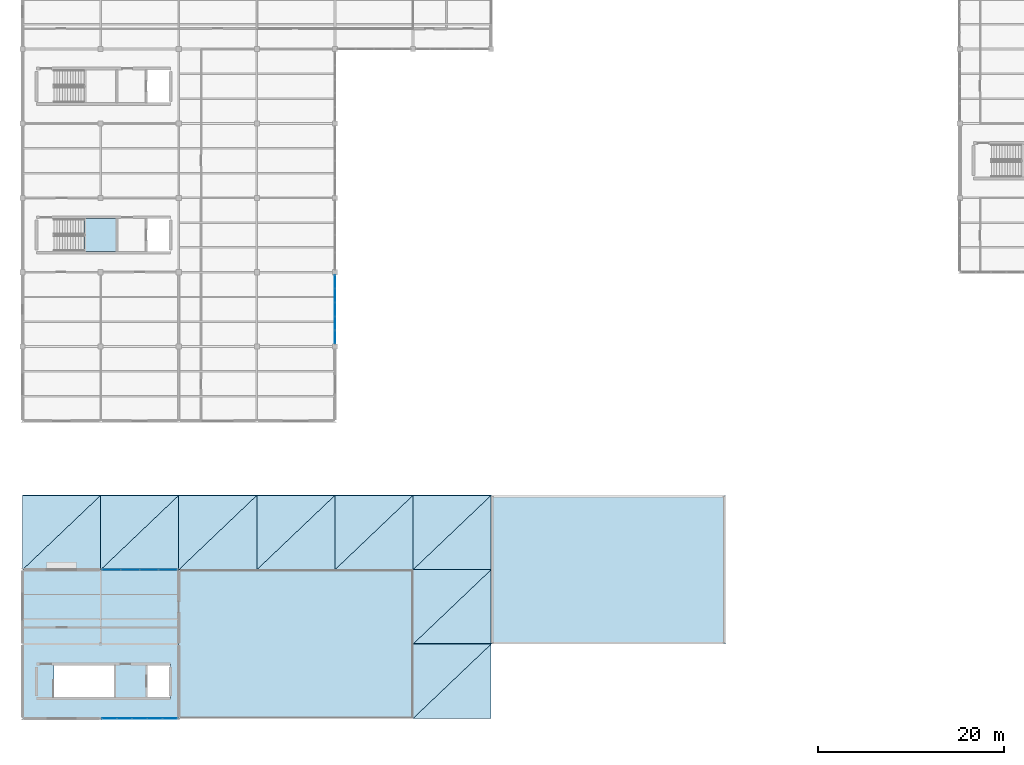
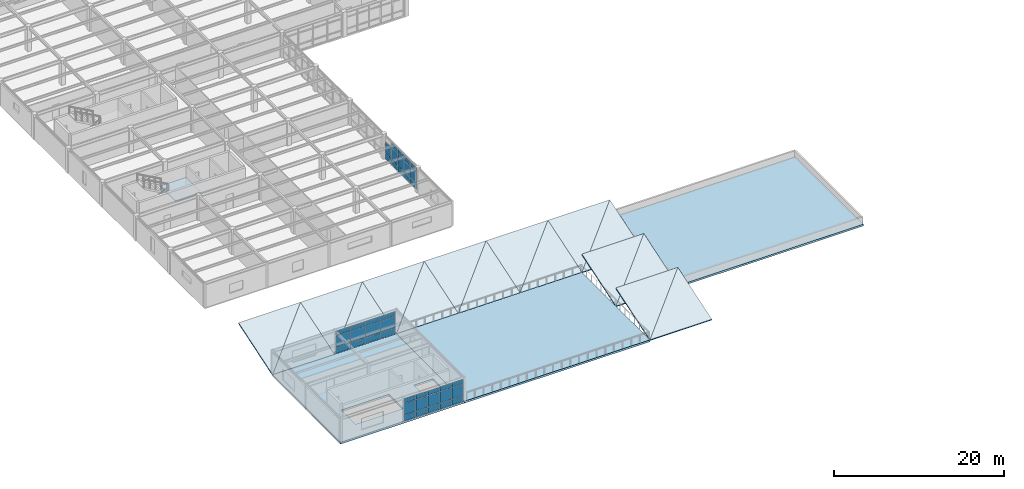
# One storey, part 33 of 53: 41 plates, 20 slabs, 4 elements without a shape of their own.
"""IFC4 building model written with IfcOpenShell, lengths in metres."""

from ifc_helpers import new_model, si_unit, direction, frame, origin, origin_2d, place, context, subcontext, project, spatial, polyline, rectangle, outline, extrude, material, layer, layer_set, type_object, element, aggregate, save


model = new_model("IFC4")

# Units and contexts
model_context = context("Model", 3, precision=1e-05, world=origin(), true_north=direction((0.0, 1.0)))
body_context = subcontext(model_context, "Body", "Model", "MODEL_VIEW")
ifc_project = project(units=[si_unit("LENGTHUNIT", "METRE"), si_unit("AREAUNIT", "SQUARE_METRE"), si_unit("VOLUMEUNIT", "CUBIC_METRE"), si_unit("PLANEANGLEUNIT", "RADIAN"), si_unit("MASSUNIT", "GRAM", prefix="KILO")], contexts=[model_context])

# Site, building, storey
site_placement = place(None, origin())
site = spatial("IfcSite", under=ifc_project, at=site_placement, CompositionType="ELEMENT")
building_placement = place(site_placement, origin())
building = spatial("IfcBuilding", under=site, at=building_placement, Name="Kranzveld Transit Interchange", CompositionType="ELEMENT")
storey_placement = place(building_placement, frame((0.0, 0.0, 13.360107421875)))
storey = spatial("IfcBuildingStorey", under=building, at=storey_placement, Name="L03", CompositionType="ELEMENT", Elevation=13.360107421875)

# Slab
ifc_material_1 = material(Name="Concrete C35/45", Category="concrete")
ifc_layer_1 = layer(ifc_material_1, 0.27001953125)
ifc_layer_set_1 = layer_set([ifc_layer_1], Name="Concrete C35/45")
slab_type_1 = type_object("IfcSlabType", Name="Composite Floor Slab 270 C35/45", PredefinedType="FLOOR", material=ifc_layer_set_1)
slab_1_placement = place(storey_placement, frame((0.0, 0.0, -0.27001953125)))
element("IfcSlab", 1, at=slab_1_placement, inside=storey, type_object=slab_type_1, Name="L03 Suspended Floor Slab 1", PredefinedType="FLOOR", context=body_context, shape_type="SweptSolid", body=[
    extrude(outline(polyline([(16.800048828125, 32.0), (16.800048828125, 16.0), (0.0, 16.0), (0.0, 32.0), (16.800048828125, 32.0)]), holes=[polyline([(9.85009765625, 21.679931640625), (3.367919921875, 21.679931640625), (3.367919921875, 18.320068359375), (9.85009765625, 18.320068359375), (9.85009765625, 21.679931640625)]), polyline([(13.324951171875, 21.860107421875), (13.324951171875, 18.139892578125), (15.89990234375, 18.139892578125), (15.89990234375, 21.860107421875), (13.324951171875, 21.860107421875)])]), origin(), (0.0, 0.0, 1.0), 0.27001953125),
])

# Curtain wall, plates
ifc_material_2 = material(Name="Bronze-anodised thermally broken aluminium", Category="aluminium")
ifc_layer_2 = layer(ifc_material_2, 0.159912109375)
ifc_layer_set_2 = layer_set([ifc_layer_2], Name="Bronze-anodised thermally broken aluminium")
curtain_wall_type_1 = type_object("IfcCurtainWallType", Name="Bus Boarding Glazed Screen CW-3", PredefinedType="USERDEFINED", material=ifc_layer_set_2)
curtain_wall_1_placement = place(storey_placement, origin())
curtain_wall_1 = element("IfcCurtainWall", 2, at=curtain_wall_1_placement, inside=storey, type_object=curtain_wall_type_1, Name="L03 Curtain Wall 02/E-03/E", ObjectType="CURTAIN WALL", PredefinedType="USERDEFINED")
ifc_material_3 = material(Name="Solar-control double glazing", Category="glass")
ifc_layer_3 = layer(ifc_material_3, 0.031982421875)
ifc_layer_set_3 = layer_set([ifc_layer_3], Name="Solar-control double glazing")
plate_type_1 = type_object("IfcPlateType", Name="Curtain Panel Acoustic Glazing 32", PredefinedType="CURTAIN_PANEL", material=ifc_layer_set_3)
plate_1_placement = place(storey_placement, frame((9.56103515625, 32.0, 0.059814453125), z_axis=(0.0, 0.0, 1.0), x_axis=(1.0, 0.0, 0.0)))
plate_1 = element("IfcPlate", 3, at=plate_1_placement, type_object=plate_type_1, Name="CW-3 panel 1.1", PredefinedType="CURTAIN_PANEL", context=body_context, shape_type="SweptSolid", body=[
    extrude(rectangle(XDim=1.946044921875, YDim=0.031982421875, at=origin_2d()), origin(), (0.0, 0.0, 1.0), 0.81005859375),
])
plate_2_placement = place(storey_placement, frame((9.56103515625, 32.0, 0.929931640625), z_axis=(0.0, 0.0, 1.0), x_axis=(1.0, 0.0, 0.0)))
plate_2 = element("IfcPlate", 4, at=plate_2_placement, type_object=plate_type_1, Name="CW-3 panel 1.2", PredefinedType="CURTAIN_PANEL", context=body_context, shape_type="SweptSolid", body=[
    extrude(rectangle(XDim=1.946044921875, YDim=0.031982421875, at=origin_2d()), origin(), (0.0, 0.0, 1.0), 1.6201171875),
])
plate_3_placement = place(storey_placement, frame((9.56103515625, 32.0, 2.60986328125), z_axis=(0.0, 0.0, 1.0), x_axis=(1.0, 0.0, 0.0)))
plate_3 = element("IfcPlate", 5, at=plate_3_placement, type_object=plate_type_1, Name="CW-3 panel 1.3", PredefinedType="CURTAIN_PANEL", context=body_context, shape_type="SweptSolid", body=[
    extrude(rectangle(XDim=1.946044921875, YDim=0.031982421875, at=origin_2d()), origin(), (0.0, 0.0, 1.0), 0.610107421875),
])
plate_4_placement = place(storey_placement, frame((11.58203125, 32.0, 0.059814453125), z_axis=(0.0, 0.0, 1.0), x_axis=(1.0, 0.0, 0.0)))
plate_4 = element("IfcPlate", 6, at=plate_4_placement, type_object=plate_type_1, Name="CW-3 panel 2.1", PredefinedType="CURTAIN_PANEL", context=body_context, shape_type="SweptSolid", body=[
    extrude(rectangle(XDim=1.975830078125, YDim=0.031982421875, at=origin_2d()), origin(), (0.0, 0.0, 1.0), 0.81005859375),
])
plate_5_placement = place(storey_placement, frame((11.58203125, 32.0, 0.929931640625), z_axis=(0.0, 0.0, 1.0), x_axis=(1.0, 0.0, 0.0)))
plate_5 = element("IfcPlate", 7, at=plate_5_placement, type_object=plate_type_1, Name="CW-3 panel 2.2", PredefinedType="CURTAIN_PANEL", context=body_context, shape_type="SweptSolid", body=[
    extrude(rectangle(XDim=1.975830078125, YDim=0.031982421875, at=origin_2d()), origin(), (0.0, 0.0, 1.0), 1.6201171875),
])
plate_6_placement = place(storey_placement, frame((11.58203125, 32.0, 2.60986328125), z_axis=(0.0, 0.0, 1.0), x_axis=(1.0, 0.0, 0.0)))
plate_6 = element("IfcPlate", 8, at=plate_6_placement, type_object=plate_type_1, Name="CW-3 panel 2.3", PredefinedType="CURTAIN_PANEL", context=body_context, shape_type="SweptSolid", body=[
    extrude(rectangle(XDim=1.975830078125, YDim=0.031982421875, at=origin_2d()), origin(), (0.0, 0.0, 1.0), 0.610107421875),
])
plate_7_placement = place(storey_placement, frame((13.617919921875, 32.0, 0.059814453125), z_axis=(0.0, 0.0, 1.0), x_axis=(1.0, 0.0, 0.0)))
plate_7 = element("IfcPlate", 9, at=plate_7_placement, type_object=plate_type_1, Name="CW-3 panel 3.1", PredefinedType="CURTAIN_PANEL", context=body_context, shape_type="SweptSolid", body=[
    extrude(rectangle(XDim=1.975830078125, YDim=0.031982421875, at=origin_2d()), origin(), (0.0, 0.0, 1.0), 0.81005859375),
])
plate_8_placement = place(storey_placement, frame((13.617919921875, 32.0, 0.929931640625), z_axis=(0.0, 0.0, 1.0), x_axis=(1.0, 0.0, 0.0)))
plate_8 = element("IfcPlate", 10, at=plate_8_placement, type_object=plate_type_1, Name="CW-3 panel 3.2", PredefinedType="CURTAIN_PANEL", context=body_context, shape_type="SweptSolid", body=[
    extrude(rectangle(XDim=1.975830078125, YDim=0.031982421875, at=origin_2d()), origin(), (0.0, 0.0, 1.0), 1.6201171875),
])
plate_9_placement = place(storey_placement, frame((13.617919921875, 32.0, 2.60986328125), z_axis=(0.0, 0.0, 1.0), x_axis=(1.0, 0.0, 0.0)))
plate_9 = element("IfcPlate", 11, at=plate_9_placement, type_object=plate_type_1, Name="CW-3 panel 3.3", PredefinedType="CURTAIN_PANEL", context=body_context, shape_type="SweptSolid", body=[
    extrude(rectangle(XDim=1.975830078125, YDim=0.031982421875, at=origin_2d()), origin(), (0.0, 0.0, 1.0), 0.610107421875),
])
plate_10_placement = place(storey_placement, frame((15.638916015625, 32.0, 0.059814453125), z_axis=(0.0, 0.0, 1.0), x_axis=(1.0, 0.0, 0.0)))
plate_10 = element("IfcPlate", 12, at=plate_10_placement, type_object=plate_type_1, Name="CW-3 panel 4.1", PredefinedType="CURTAIN_PANEL", context=body_context, shape_type="SweptSolid", body=[
    extrude(rectangle(XDim=1.946044921875, YDim=0.031982421875, at=origin_2d()), origin(), (0.0, 0.0, 1.0), 0.81005859375),
])
plate_11_placement = place(storey_placement, frame((15.638916015625, 32.0, 0.929931640625), z_axis=(0.0, 0.0, 1.0), x_axis=(1.0, 0.0, 0.0)))
plate_11 = element("IfcPlate", 13, at=plate_11_placement, type_object=plate_type_1, Name="CW-3 panel 4.2", PredefinedType="CURTAIN_PANEL", context=body_context, shape_type="SweptSolid", body=[
    extrude(rectangle(XDim=1.946044921875, YDim=0.031982421875, at=origin_2d()), origin(), (0.0, 0.0, 1.0), 1.6201171875),
])
plate_12_placement = place(storey_placement, frame((15.638916015625, 32.0, 2.60986328125), z_axis=(0.0, 0.0, 1.0), x_axis=(1.0, 0.0, 0.0)))
plate_12 = element("IfcPlate", 14, at=plate_12_placement, type_object=plate_type_1, Name="CW-3 panel 4.3", PredefinedType="CURTAIN_PANEL", context=body_context, shape_type="SweptSolid", body=[
    extrude(rectangle(XDim=1.946044921875, YDim=0.031982421875, at=origin_2d()), origin(), (0.0, 0.0, 1.0), 0.610107421875),
])
aggregate(curtain_wall_1, [plate_1, plate_2, plate_3, plate_4, plate_5, plate_6, plate_7, plate_8, plate_9, plate_10, plate_11, plate_12])

ifc_material_4 = material(Name="Bronze-anodised thermally broken aluminium", Category="aluminium")
ifc_layer_4 = layer(ifc_material_4, 0.14990234375)
ifc_layer_set_4 = layer_set([ifc_layer_4], Name="Bronze-anodised thermally broken aluminium")
curtain_wall_type_2 = type_object("IfcCurtainWallType", Name="Public Passage Clerestory Screen CW-4", PredefinedType="USERDEFINED", material=ifc_layer_set_4)
curtain_wall_2_placement = place(storey_placement, origin())
curtain_wall_2 = element("IfcCurtainWall", 15, at=curtain_wall_2_placement, inside=storey, type_object=curtain_wall_type_2, Name="L03 Curtain Wall 02/C-03/C", ObjectType="CURTAIN WALL", PredefinedType="USERDEFINED")
ifc_material_5 = material(Name="Solar-control double glazing", Category="glass")
ifc_layer_5 = layer(ifc_material_5, 0.0419921875)
ifc_layer_set_5 = layer_set([ifc_layer_5], Name="Solar-control double glazing")
plate_type_2 = type_object("IfcPlateType", Name="Curtain Panel Laminated Glazing 42", PredefinedType="CURTAIN_PANEL", material=ifc_layer_set_5)
plate_13_placement = place(storey_placement, frame((9.357421875, 16.0, 0.059814453125), z_axis=(0.0, 0.0, 1.0), x_axis=(1.0, 0.0, 0.0)))
plate_13 = element("IfcPlate", 16, at=plate_13_placement, type_object=plate_type_2, Name="CW-4 panel 1.1", PredefinedType="CURTAIN_PANEL", context=body_context, shape_type="SweptSolid", body=[
    extrude(rectangle(XDim=1.538818359375, YDim=0.0419921875, at=origin_2d()), origin(), (0.0, 0.0, 1.0), 0.81005859375),
])
plate_14_placement = place(storey_placement, frame((9.357421875, 16.0, 0.929931640625), z_axis=(0.0, 0.0, 1.0), x_axis=(1.0, 0.0, 0.0)))
plate_14 = element("IfcPlate", 17, at=plate_14_placement, type_object=plate_type_2, Name="CW-4 panel 1.2", PredefinedType="CURTAIN_PANEL", context=body_context, shape_type="SweptSolid", body=[
    extrude(rectangle(XDim=1.538818359375, YDim=0.0419921875, at=origin_2d()), origin(), (0.0, 0.0, 1.0), 1.6201171875),
])
plate_15_placement = place(storey_placement, frame((9.357421875, 16.0, 2.60986328125), z_axis=(0.0, 0.0, 1.0), x_axis=(1.0, 0.0, 0.0)))
plate_15 = element("IfcPlate", 18, at=plate_15_placement, type_object=plate_type_2, Name="CW-4 panel 1.3", PredefinedType="CURTAIN_PANEL", context=body_context, shape_type="SweptSolid", body=[
    extrude(rectangle(XDim=1.538818359375, YDim=0.0419921875, at=origin_2d()), origin(), (0.0, 0.0, 1.0), 0.610107421875),
])
plate_16_placement = place(storey_placement, frame((10.97119140625, 16.0, 0.059814453125), z_axis=(0.0, 0.0, 1.0), x_axis=(1.0, 0.0, 0.0)))
plate_16 = element("IfcPlate", 19, at=plate_16_placement, type_object=plate_type_2, Name="CW-4 panel 2.1", PredefinedType="CURTAIN_PANEL", context=body_context, shape_type="SweptSolid", body=[
    extrude(rectangle(XDim=1.56884765625, YDim=0.0419921875, at=origin_2d()), origin(), (0.0, 0.0, 1.0), 0.81005859375),
])
plate_17_placement = place(storey_placement, frame((10.97119140625, 16.0, 0.929931640625), z_axis=(0.0, 0.0, 1.0), x_axis=(1.0, 0.0, 0.0)))
plate_17 = element("IfcPlate", 20, at=plate_17_placement, type_object=plate_type_2, Name="CW-4 panel 2.2", PredefinedType="CURTAIN_PANEL", context=body_context, shape_type="SweptSolid", body=[
    extrude(rectangle(XDim=1.56884765625, YDim=0.0419921875, at=origin_2d()), origin(), (0.0, 0.0, 1.0), 1.6201171875),
])
plate_18_placement = place(storey_placement, frame((10.97119140625, 16.0, 2.60986328125), z_axis=(0.0, 0.0, 1.0), x_axis=(1.0, 0.0, 0.0)))
plate_18 = element("IfcPlate", 21, at=plate_18_placement, type_object=plate_type_2, Name="CW-4 panel 2.3", PredefinedType="CURTAIN_PANEL", context=body_context, shape_type="SweptSolid", body=[
    extrude(rectangle(XDim=1.56884765625, YDim=0.0419921875, at=origin_2d()), origin(), (0.0, 0.0, 1.0), 0.610107421875),
])
plate_19_placement = place(storey_placement, frame((12.60009765625, 16.0, 0.059814453125), z_axis=(0.0, 0.0, 1.0), x_axis=(1.0, 0.0, 0.0)))
plate_19 = element("IfcPlate", 22, at=plate_19_placement, type_object=plate_type_2, Name="CW-4 panel 3.1", PredefinedType="CURTAIN_PANEL", context=body_context, shape_type="SweptSolid", body=[
    extrude(rectangle(XDim=1.56884765625, YDim=0.0419921875, at=origin_2d()), origin(), (0.0, 0.0, 1.0), 0.81005859375),
])
plate_20_placement = place(storey_placement, frame((12.60009765625, 16.0, 0.929931640625), z_axis=(0.0, 0.0, 1.0), x_axis=(1.0, 0.0, 0.0)))
plate_20 = element("IfcPlate", 23, at=plate_20_placement, type_object=plate_type_2, Name="CW-4 panel 3.2", PredefinedType="CURTAIN_PANEL", context=body_context, shape_type="SweptSolid", body=[
    extrude(rectangle(XDim=1.56884765625, YDim=0.0419921875, at=origin_2d()), origin(), (0.0, 0.0, 1.0), 1.6201171875),
])
plate_21_placement = place(storey_placement, frame((12.60009765625, 16.0, 2.60986328125), z_axis=(0.0, 0.0, 1.0), x_axis=(1.0, 0.0, 0.0)))
plate_21 = element("IfcPlate", 24, at=plate_21_placement, type_object=plate_type_2, Name="CW-4 panel 3.3", PredefinedType="CURTAIN_PANEL", context=body_context, shape_type="SweptSolid", body=[
    extrude(rectangle(XDim=1.56884765625, YDim=0.0419921875, at=origin_2d()), origin(), (0.0, 0.0, 1.0), 0.610107421875),
])
plate_22_placement = place(storey_placement, frame((14.228759765625, 16.0, 0.059814453125), z_axis=(0.0, 0.0, 1.0), x_axis=(1.0, 0.0, 0.0)))
plate_22 = element("IfcPlate", 25, at=plate_22_placement, type_object=plate_type_2, Name="CW-4 panel 4.1", PredefinedType="CURTAIN_PANEL", context=body_context, shape_type="SweptSolid", body=[
    extrude(rectangle(XDim=1.56884765625, YDim=0.0419921875, at=origin_2d()), origin(), (0.0, 0.0, 1.0), 0.81005859375),
])
plate_23_placement = place(storey_placement, frame((14.228759765625, 16.0, 0.929931640625), z_axis=(0.0, 0.0, 1.0), x_axis=(1.0, 0.0, 0.0)))
plate_23 = element("IfcPlate", 26, at=plate_23_placement, type_object=plate_type_2, Name="CW-4 panel 4.2", PredefinedType="CURTAIN_PANEL", context=body_context, shape_type="SweptSolid", body=[
    extrude(rectangle(XDim=1.56884765625, YDim=0.0419921875, at=origin_2d()), origin(), (0.0, 0.0, 1.0), 1.6201171875),
])
plate_24_placement = place(storey_placement, frame((14.228759765625, 16.0, 2.60986328125), z_axis=(0.0, 0.0, 1.0), x_axis=(1.0, 0.0, 0.0)))
plate_24 = element("IfcPlate", 27, at=plate_24_placement, type_object=plate_type_2, Name="CW-4 panel 4.3", PredefinedType="CURTAIN_PANEL", context=body_context, shape_type="SweptSolid", body=[
    extrude(rectangle(XDim=1.56884765625, YDim=0.0419921875, at=origin_2d()), origin(), (0.0, 0.0, 1.0), 0.610107421875),
])
plate_25_placement = place(storey_placement, frame((15.842529296875, 16.0, 0.059814453125), z_axis=(0.0, 0.0, 1.0), x_axis=(1.0, 0.0, 0.0)))
plate_25 = element("IfcPlate", 28, at=plate_25_placement, type_object=plate_type_2, Name="CW-4 panel 5.1", PredefinedType="CURTAIN_PANEL", context=body_context, shape_type="SweptSolid", body=[
    extrude(rectangle(XDim=1.538818359375, YDim=0.0419921875, at=origin_2d()), origin(), (0.0, 0.0, 1.0), 0.81005859375),
])
plate_26_placement = place(storey_placement, frame((15.842529296875, 16.0, 0.929931640625), z_axis=(0.0, 0.0, 1.0), x_axis=(1.0, 0.0, 0.0)))
plate_26 = element("IfcPlate", 29, at=plate_26_placement, type_object=plate_type_2, Name="CW-4 panel 5.2", PredefinedType="CURTAIN_PANEL", context=body_context, shape_type="SweptSolid", body=[
    extrude(rectangle(XDim=1.538818359375, YDim=0.0419921875, at=origin_2d()), origin(), (0.0, 0.0, 1.0), 1.6201171875),
])
plate_27_placement = place(storey_placement, frame((15.842529296875, 16.0, 2.60986328125), z_axis=(0.0, 0.0, 1.0), x_axis=(1.0, 0.0, 0.0)))
plate_27 = element("IfcPlate", 30, at=plate_27_placement, type_object=plate_type_2, Name="CW-4 panel 5.3", PredefinedType="CURTAIN_PANEL", context=body_context, shape_type="SweptSolid", body=[
    extrude(rectangle(XDim=1.538818359375, YDim=0.0419921875, at=origin_2d()), origin(), (0.0, 0.0, 1.0), 0.610107421875),
])
aggregate(curtain_wall_2, [plate_13, plate_14, plate_15, plate_16, plate_17, plate_18, plate_19, plate_20, plate_21, plate_22, plate_23, plate_24, plate_25, plate_26, plate_27])

ifc_material_6 = material(Name="Bronze-anodised thermally broken aluminium", Category="aluminium")
ifc_layer_6 = layer(ifc_material_6, 0.1650390625)
ifc_layer_set_6 = layer_set([ifc_layer_6], Name="Bronze-anodised thermally broken aluminium")
curtain_wall_type_3 = type_object("IfcCurtainWallType", Name="Sunny Court Arcade Curtain Wall CW-2", PredefinedType="USERDEFINED", material=ifc_layer_set_6)
curtain_wall_3_placement = place(storey_placement, origin())
curtain_wall_3 = element("IfcCurtainWall", 31, at=curtain_wall_3_placement, inside=storey, type_object=curtain_wall_type_3, Name="L03 Curtain Wall 05/H-05/J", ObjectType="CURTAIN WALL", PredefinedType="USERDEFINED")
ifc_material_7 = material(Name="Pretoria red-purple clinker clay face brick, 35 MPa", Category="masonry")
ifc_layer_7 = layer(ifc_material_7, 0.050048828125)
ifc_layer_set_7 = layer_set([ifc_layer_7], Name="Pretoria red-purple clinker clay face brick, 35 MPa")
plate_type_3 = type_object("IfcPlateType", Name="Curtain Spandrel Clinker Tile 50", PredefinedType="CURTAIN_PANEL", material=ifc_layer_set_7)
plate_28_placement = place(storey_placement, frame((33.60009765625, 57.0361328125, 0.059814453125), z_axis=(0.0, 0.0, 1.0), x_axis=(0.0, 1.0, 0.0)))
plate_28 = element("IfcPlate", 32, at=plate_28_placement, type_object=plate_type_3, Name="CW-2 panel 1.1", PredefinedType="CURTAIN_PANEL", context=body_context, shape_type="SweptSolid", body=[
    extrude(rectangle(XDim=1.392578125, YDim=0.050048828125, at=origin_2d()), origin(), (0.0, 0.0, 1.0), 0.81005859375),
])
plate_29_placement = place(storey_placement, frame((33.60009765625, 57.0361328125, 0.929931640625), z_axis=(0.0, 0.0, 1.0), x_axis=(0.0, 1.0, 0.0)))
plate_29 = element("IfcPlate", 33, at=plate_29_placement, type_object=plate_type_3, Name="CW-2 panel 1.2", PredefinedType="CURTAIN_PANEL", context=body_context, shape_type="SweptSolid", body=[
    extrude(rectangle(XDim=1.392578125, YDim=0.050048828125, at=origin_2d()), origin(), (0.0, 0.0, 1.0), 1.6201171875),
])
plate_30_placement = place(storey_placement, frame((33.60009765625, 57.0361328125, 2.60986328125), z_axis=(0.0, 0.0, 1.0), x_axis=(0.0, 1.0, 0.0)))
plate_30 = element("IfcPlate", 34, at=plate_30_placement, type_object=plate_type_3, Name="CW-2 panel 1.3", PredefinedType="CURTAIN_PANEL", context=body_context, shape_type="SweptSolid", body=[
    extrude(rectangle(XDim=1.392578125, YDim=0.050048828125, at=origin_2d()), origin(), (0.0, 0.0, 1.0), 0.610107421875),
])
plate_31_placement = place(storey_placement, frame((33.60009765625, 58.510009765625, 0.059814453125), z_axis=(0.0, 0.0, 1.0), x_axis=(0.0, 1.0, 0.0)))
plate_31 = element("IfcPlate", 35, at=plate_31_placement, type_object=plate_type_3, Name="CW-2 panel 2.1", PredefinedType="CURTAIN_PANEL", context=body_context, shape_type="SweptSolid", body=[
    extrude(rectangle(XDim=1.425048828125, YDim=0.050048828125, at=origin_2d()), origin(), (0.0, 0.0, 1.0), 0.81005859375),
])
plate_32_placement = place(storey_placement, frame((33.60009765625, 58.510009765625, 0.929931640625), z_axis=(0.0, 0.0, 1.0), x_axis=(0.0, 1.0, 0.0)))
plate_32 = element("IfcPlate", 36, at=plate_32_placement, type_object=plate_type_3, Name="CW-2 panel 2.2", PredefinedType="CURTAIN_PANEL", context=body_context, shape_type="SweptSolid", body=[
    extrude(rectangle(XDim=1.425048828125, YDim=0.050048828125, at=origin_2d()), origin(), (0.0, 0.0, 1.0), 1.6201171875),
])
plate_33_placement = place(storey_placement, frame((33.60009765625, 58.510009765625, 2.60986328125), z_axis=(0.0, 0.0, 1.0), x_axis=(0.0, 1.0, 0.0)))
plate_33 = element("IfcPlate", 37, at=plate_33_placement, type_object=plate_type_3, Name="CW-2 panel 2.3", PredefinedType="CURTAIN_PANEL", context=body_context, shape_type="SweptSolid", body=[
    extrude(rectangle(XDim=1.425048828125, YDim=0.050048828125, at=origin_2d()), origin(), (0.0, 0.0, 1.0), 0.610107421875),
])
plate_34_placement = place(storey_placement, frame((33.60009765625, 60.0, 0.059814453125), z_axis=(0.0, 0.0, 1.0), x_axis=(0.0, 1.0, 0.0)))
plate_34 = element("IfcPlate", 38, at=plate_34_placement, type_object=plate_type_3, Name="CW-2 panel 3.1", PredefinedType="CURTAIN_PANEL", context=body_context, shape_type="SweptSolid", body=[
    extrude(rectangle(XDim=1.425048828125, YDim=0.050048828125, at=origin_2d()), origin(), (0.0, 0.0, 1.0), 0.81005859375),
])
plate_35_placement = place(storey_placement, frame((33.60009765625, 60.0, 0.929931640625), z_axis=(0.0, 0.0, 1.0), x_axis=(0.0, 1.0, 0.0)))
plate_35 = element("IfcPlate", 39, at=plate_35_placement, type_object=plate_type_3, Name="CW-2 panel 3.2", PredefinedType="CURTAIN_PANEL", context=body_context, shape_type="SweptSolid", body=[
    extrude(rectangle(XDim=1.425048828125, YDim=0.050048828125, at=origin_2d()), origin(), (0.0, 0.0, 1.0), 1.6201171875),
])
plate_36_placement = place(storey_placement, frame((33.60009765625, 60.0, 2.60986328125), z_axis=(0.0, 0.0, 1.0), x_axis=(0.0, 1.0, 0.0)))
plate_36 = element("IfcPlate", 40, at=plate_36_placement, type_object=plate_type_3, Name="CW-2 panel 3.3", PredefinedType="CURTAIN_PANEL", context=body_context, shape_type="SweptSolid", body=[
    extrude(rectangle(XDim=1.425048828125, YDim=0.050048828125, at=origin_2d()), origin(), (0.0, 0.0, 1.0), 0.610107421875),
])
plate_37_placement = place(storey_placement, frame((33.60009765625, 61.489990234375, 0.059814453125), z_axis=(0.0, 0.0, 1.0), x_axis=(0.0, 1.0, 0.0)))
plate_37 = element("IfcPlate", 41, at=plate_37_placement, type_object=plate_type_3, Name="CW-2 panel 4.1", PredefinedType="CURTAIN_PANEL", context=body_context, shape_type="SweptSolid", body=[
    extrude(rectangle(XDim=1.425048828125, YDim=0.050048828125, at=origin_2d()), origin(), (0.0, 0.0, 1.0), 0.81005859375),
])
plate_38_placement = place(storey_placement, frame((33.60009765625, 61.489990234375, 0.929931640625), z_axis=(0.0, 0.0, 1.0), x_axis=(0.0, 1.0, 0.0)))
plate_38 = element("IfcPlate", 42, at=plate_38_placement, type_object=plate_type_3, Name="CW-2 panel 4.2", PredefinedType="CURTAIN_PANEL", context=body_context, shape_type="SweptSolid", body=[
    extrude(rectangle(XDim=1.425048828125, YDim=0.050048828125, at=origin_2d()), origin(), (0.0, 0.0, 1.0), 1.6201171875),
])
plate_39_placement = place(storey_placement, frame((33.60009765625, 61.489990234375, 2.60986328125), z_axis=(0.0, 0.0, 1.0), x_axis=(0.0, 1.0, 0.0)))
plate_39 = element("IfcPlate", 43, at=plate_39_placement, type_object=plate_type_3, Name="CW-2 panel 4.3", PredefinedType="CURTAIN_PANEL", context=body_context, shape_type="SweptSolid", body=[
    extrude(rectangle(XDim=1.425048828125, YDim=0.050048828125, at=origin_2d()), origin(), (0.0, 0.0, 1.0), 0.610107421875),
])
plate_40_placement = place(storey_placement, frame((33.60009765625, 62.9638671875, 0.059814453125), z_axis=(0.0, 0.0, 1.0), x_axis=(0.0, 1.0, 0.0)))
plate_40 = element("IfcPlate", 44, at=plate_40_placement, type_object=plate_type_3, Name="CW-2 panel 5.1", PredefinedType="CURTAIN_PANEL", context=body_context, shape_type="SweptSolid", body=[
    extrude(rectangle(XDim=1.392578125, YDim=0.050048828125, at=origin_2d()), origin(), (0.0, 0.0, 1.0), 0.81005859375),
])
plate_41_placement = place(storey_placement, frame((33.60009765625, 62.9638671875, 0.929931640625), z_axis=(0.0, 0.0, 1.0), x_axis=(0.0, 1.0, 0.0)))
plate_41 = element("IfcPlate", 45, at=plate_41_placement, type_object=plate_type_3, Name="CW-2 panel 5.2", PredefinedType="CURTAIN_PANEL", context=body_context, shape_type="SweptSolid", body=[
    extrude(rectangle(XDim=1.392578125, YDim=0.050048828125, at=origin_2d()), origin(), (0.0, 0.0, 1.0), 1.6201171875),
])
aggregate(curtain_wall_3, [plate_28, plate_29, plate_30, plate_31, plate_32, plate_33, plate_34, plate_35, plate_36, plate_37, plate_38, plate_39, plate_40, plate_41])

# Slabs
ifc_material_8 = material(Name="Concrete C35/45", Category="concrete")
ifc_layer_8 = layer(ifc_material_8, 0.27001953125)
ifc_layer_set_8 = layer_set([ifc_layer_8], Name="Concrete C35/45")
slab_type_2 = type_object("IfcSlabType", Name="Cycle Terrace Slab 270 C35/45", PredefinedType="FLOOR", material=ifc_layer_set_8)
slab_2_placement = place(storey_placement, frame((0.0, 0.0, -0.27001953125)))
element("IfcSlab", 46, at=slab_2_placement, inside=storey, type_object=slab_type_2, Name="L03 Walkable Terrace TERR_L03_CYC", PredefinedType="FLOOR", context=body_context, shape_type="SweptSolid", body=[
    extrude(outline(polyline([(42.0, 16.0), (42.0, 32.0), (16.800048828125, 32.0), (16.800048828125, 16.0), (42.0, 16.0)])), origin(), (0.0, 0.0, 1.0), 0.27001953125),
])
ifc_material_9 = material(Name="Concrete C35/45", Category="concrete")
ifc_layer_9 = layer(ifc_material_9, 0.27001953125)
ifc_layer_set_9 = layer_set([ifc_layer_9], Name="Concrete C35/45")
slab_type_3 = type_object("IfcSlabType", Name="Mid-Rise Roof Slab 270 C35/45", PredefinedType="ROOF", material=ifc_layer_set_9)
slab_3_placement = place(storey_placement, frame((0.0, 0.0, -0.27001953125)))
element("IfcSlab", 47, at=slab_3_placement, inside=storey, type_object=slab_type_3, Name="L03 Flat Roof Slab 1", PredefinedType="ROOF", context=body_context, shape_type="SweptSolid", body=[
    extrude(outline(polyline([(75.60009765625, 40.0), (75.60009765625, 24.0), (50.39990234375, 24.0), (50.39990234375, 40.0), (75.60009765625, 40.0)])), origin(), (0.0, 0.0, 1.0), 0.27001953125),
])
ifc_material_10 = material(Name="Concrete C35/45", Category="concrete")
ifc_layer_10 = layer(ifc_material_10, 0.1650390625)
ifc_layer_set_10 = layer_set([ifc_layer_10], Name="Concrete C35/45")
slab_type_4 = type_object("IfcSlabType", Name="Pitched Sawtooth Composite Roof Deck 165 C35/45", PredefinedType="ROOF", material=ifc_layer_set_10)
slab_4_placement = place(storey_placement, frame((0.0, 32.0, 0.0), z_axis=(0.0, -0.309070321885, 0.951039187484), x_axis=(1.0, 0.0, 0.0)))
element("IfcSlab", 48, at=slab_4_placement, inside=storey, type_object=slab_type_4, Name="Cycle Hub Sawtooth Roof 01/E-1", PredefinedType="ROOF", context=body_context, shape_type="SweptSolid", body=[
    extrude(outline(polyline([(0.0, 0.0), (8.39990234375, 0.0), (8.39990234375, 8.411851062798704), (0.0, 0.0)])), origin(), (0.0, 0.0, -1.0), 0.1650390625),
])
slab_5_placement = place(storey_placement, frame((0.0, 32.0, 0.0), z_axis=(0.0, -0.309070321885, 0.951039187484), x_axis=(0.706604036444, 0.672964048892, 0.21870099355)))
element("IfcSlab", 49, at=slab_5_placement, inside=storey, type_object=slab_type_4, Name="Cycle Hub Sawtooth Roof 01/E-2", PredefinedType="ROOF", context=body_context, shape_type="SweptSolid", body=[
    extrude(outline(polyline([(0.0, 0.0), (11.887707839917855, 7.771561172376096e-16), (5.952302938090766, 5.943847914937236), (0.0, 0.0)])), origin(), (0.0, 0.0, -1.0), 0.1650390625),
])
slab_6_placement = place(storey_placement, frame((8.39990234375, 32.0, 0.0), z_axis=(0.0, -0.309070321885, 0.951039187484), x_axis=(1.0, 0.0, 0.0)))
element("IfcSlab", 50, at=slab_6_placement, inside=storey, type_object=slab_type_4, Name="Cycle Hub Sawtooth Roof 02/E-1", PredefinedType="ROOF", context=body_context, shape_type="SweptSolid", body=[
    extrude(outline(polyline([(0.0, 0.0), (8.400146484375, 0.0), (8.400146484375, 8.411851062798704), (0.0, 0.0)])), origin(), (0.0, 0.0, -1.0), 0.1650390625),
])
slab_7_placement = place(storey_placement, frame((8.39990234375, 32.0, 0.0), z_axis=(0.0, -0.309070321885, 0.951039187484), x_axis=(0.706614319433, 0.672954283116, 0.218697819852)))
element("IfcSlab", 51, at=slab_7_placement, inside=storey, type_object=slab_type_4, Name="Cycle Hub Sawtooth Roof 02/E-2", PredefinedType="ROOF", context=body_context, shape_type="SweptSolid", body=[
    extrude(outline(polyline([(0.0, 0.0), (11.887880351924196, 0.0), (5.952216560730648, 5.943934413910663), (0.0, 0.0)])), origin(), (0.0, 0.0, -1.0), 0.1650390625),
])
slab_8_placement = place(storey_placement, frame((16.800048828125, 32.0, 0.0), z_axis=(0.0, -0.309070321885, 0.951039187484), x_axis=(1.0, 0.0, 0.0)))
element("IfcSlab", 52, at=slab_8_placement, inside=storey, type_object=slab_type_4, Name="Cycle Hub Sawtooth Roof 03/E-1", PredefinedType="ROOF", context=body_context, shape_type="SweptSolid", body=[
    extrude(outline(polyline([(0.0, 0.0), (8.39990234375, 0.0), (8.39990234375, 8.411851062798704), (0.0, 0.0)])), origin(), (0.0, 0.0, -1.0), 0.1650390625),
])
slab_9_placement = place(storey_placement, frame((16.800048828125, 32.0, 0.0), z_axis=(0.0, -0.309070321885, 0.951039187484), x_axis=(0.706604036444, 0.672964048892, 0.21870099355)))
element("IfcSlab", 53, at=slab_9_placement, inside=storey, type_object=slab_type_4, Name="Cycle Hub Sawtooth Roof 03/E-2", PredefinedType="ROOF", context=body_context, shape_type="SweptSolid", body=[
    extrude(outline(polyline([(0.0, 0.0), (11.887707839917855, 7.771561172376096e-16), (5.952302938090766, 5.943847914937236), (0.0, 0.0)])), origin(), (0.0, 0.0, -1.0), 0.1650390625),
])
slab_10_placement = place(storey_placement, frame((25.199951171875, 32.0, 0.0), z_axis=(0.0, -0.309070321885, 0.951039187484), x_axis=(1.0, 0.0, 0.0)))
element("IfcSlab", 54, at=slab_10_placement, inside=storey, type_object=slab_type_4, Name="Cycle Hub Sawtooth Roof 04/E-1", PredefinedType="ROOF", context=body_context, shape_type="SweptSolid", body=[
    extrude(outline(polyline([(0.0, 0.0), (8.400146484375, 0.0), (8.400146484375, 8.411851062798704), (0.0, 0.0)])), origin(), (0.0, 0.0, -1.0), 0.1650390625),
])
slab_11_placement = place(storey_placement, frame((25.199951171875, 32.0, 0.0), z_axis=(0.0, -0.309070321885, 0.951039187484), x_axis=(0.706614319433, 0.672954283116, 0.218697819852)))
element("IfcSlab", 55, at=slab_11_placement, inside=storey, type_object=slab_type_4, Name="Cycle Hub Sawtooth Roof 04/E-2", PredefinedType="ROOF", context=body_context, shape_type="SweptSolid", body=[
    extrude(outline(polyline([(0.0, 0.0), (11.887880351924196, 0.0), (5.952216560730648, 5.943934413910663), (0.0, 0.0)])), origin(), (0.0, 0.0, -1.0), 0.1650390625),
])
slab_12_placement = place(storey_placement, frame((33.60009765625, 32.0, 0.0), z_axis=(0.0, -0.309070321885, 0.951039187484), x_axis=(1.0, 0.0, 0.0)))
element("IfcSlab", 56, at=slab_12_placement, inside=storey, type_object=slab_type_4, Name="Cycle Hub Sawtooth Roof 05/E-1", PredefinedType="ROOF", context=body_context, shape_type="SweptSolid", body=[
    extrude(outline(polyline([(0.0, 0.0), (8.39990234375, 0.0), (8.39990234375, 8.411851062798704), (0.0, 0.0)])), origin(), (0.0, 0.0, -1.0), 0.1650390625),
])
slab_13_placement = place(storey_placement, frame((33.60009765625, 32.0, 0.0), z_axis=(0.0, -0.309070321885, 0.951039187484), x_axis=(0.706604036444, 0.672964048892, 0.21870099355)))
element("IfcSlab", 57, at=slab_13_placement, inside=storey, type_object=slab_type_4, Name="Cycle Hub Sawtooth Roof 05/E-2", PredefinedType="ROOF", context=body_context, shape_type="SweptSolid", body=[
    extrude(outline(polyline([(0.0, 0.0), (11.887707839917855, 7.771561172376096e-16), (5.952302938090766, 5.943847914937236), (0.0, 0.0)])), origin(), (0.0, 0.0, -1.0), 0.1650390625),
])
slab_14_placement = place(storey_placement, frame((42.0, 16.0, 0.0), z_axis=(0.0, -0.309070321885, 0.951039187484), x_axis=(1.0, 0.0, 0.0)))
element("IfcSlab", 58, at=slab_14_placement, inside=storey, type_object=slab_type_4, Name="Cycle Hub Sawtooth Roof 06/C-1", PredefinedType="ROOF", context=body_context, shape_type="SweptSolid", body=[
    extrude(outline(polyline([(0.0, 0.0), (8.39990234375, 0.0), (8.39990234375, 8.411851062798704), (0.0, 0.0)])), origin(), (0.0, 0.0, -1.0), 0.1650390625),
])
slab_15_placement = place(storey_placement, frame((42.0, 16.0, 0.0), z_axis=(0.0, -0.309070321885, 0.951039187484), x_axis=(0.706604036444, 0.672964048892, 0.21870099355)))
element("IfcSlab", 59, at=slab_15_placement, inside=storey, type_object=slab_type_4, Name="Cycle Hub Sawtooth Roof 06/C-2", PredefinedType="ROOF", context=body_context, shape_type="SweptSolid", body=[
    extrude(outline(polyline([(0.0, 0.0), (11.887707839917855, 7.771561172376096e-16), (5.952302938090766, 5.943847914937236), (0.0, 0.0)])), origin(), (0.0, 0.0, -1.0), 0.1650390625),
])
slab_16_placement = place(storey_placement, frame((42.0, 24.0, 0.0), z_axis=(0.0, -0.309070321885, 0.951039187484), x_axis=(1.0, 0.0, 0.0)))
element("IfcSlab", 60, at=slab_16_placement, inside=storey, type_object=slab_type_4, Name="Cycle Hub Sawtooth Roof 06/D-1", PredefinedType="ROOF", context=body_context, shape_type="SweptSolid", body=[
    extrude(outline(polyline([(0.0, 0.0), (8.39990234375, 0.0), (8.39990234375, 8.411851062798704), (0.0, 0.0)])), origin(), (0.0, 0.0, -1.0), 0.1650390625),
])
slab_17_placement = place(storey_placement, frame((42.0, 24.0, 0.0), z_axis=(0.0, -0.309070321885, 0.951039187484), x_axis=(0.706604036444, 0.672964048892, 0.21870099355)))
element("IfcSlab", 61, at=slab_17_placement, inside=storey, type_object=slab_type_4, Name="Cycle Hub Sawtooth Roof 06/D-2", PredefinedType="ROOF", context=body_context, shape_type="SweptSolid", body=[
    extrude(outline(polyline([(0.0, 0.0), (11.887707839917855, 7.771561172376096e-16), (5.952302938090766, 5.943847914937236), (0.0, 0.0)])), origin(), (0.0, 0.0, -1.0), 0.1650390625),
])
slab_18_placement = place(storey_placement, frame((42.0, 32.0, 0.0), z_axis=(0.0, -0.309070321885, 0.951039187484), x_axis=(1.0, 0.0, 0.0)))
element("IfcSlab", 62, at=slab_18_placement, inside=storey, type_object=slab_type_4, Name="Cycle Hub Sawtooth Roof 06/E-1", PredefinedType="ROOF", context=body_context, shape_type="SweptSolid", body=[
    extrude(outline(polyline([(0.0, 0.0), (8.39990234375, 0.0), (8.39990234375, 8.411851062798704), (0.0, 0.0)])), origin(), (0.0, 0.0, -1.0), 0.1650390625),
])
slab_19_placement = place(storey_placement, frame((42.0, 32.0, 0.0), z_axis=(0.0, -0.309070321885, 0.951039187484), x_axis=(0.706604036444, 0.672964048892, 0.21870099355)))
element("IfcSlab", 63, at=slab_19_placement, inside=storey, type_object=slab_type_4, Name="Cycle Hub Sawtooth Roof 06/E-2", PredefinedType="ROOF", context=body_context, shape_type="SweptSolid", body=[
    extrude(outline(polyline([(0.0, 0.0), (11.887707839917855, 7.771561172376096e-16), (5.952302938090766, 5.943847914937236), (0.0, 0.0)])), origin(), (0.0, 0.0, -1.0), 0.1650390625),
])

# Stair, slab
ifc_material_11 = material(Name="Concrete C35/45", Category="concrete")
stair_type = type_object("IfcStairType", Name="Dogleg Stair 1650W H3840 C35/45", PredefinedType="HALF_TURN_STAIR", material=ifc_material_11)
stair_placement = place(storey_placement, origin())
stair = element("IfcStair", 64, at=stair_placement, inside=storey, type_object=stair_type, Name="L03 Operations Core C1", PredefinedType="HALF_TURN_STAIR")
ifc_material_12 = material(Name="Concrete C35/45", Category="concrete")
ifc_layer_11 = layer(ifc_material_12, 0.199951171875)
ifc_layer_set_11 = layer_set([ifc_layer_11], Name="Concrete C35/45")
slab_type_5 = type_object("IfcSlabType", Name="Stair & Ramp Landing 200 C35/45", PredefinedType="LANDING", material=ifc_layer_set_11)
slab_20_placement = place(storey_placement, frame((0.0, 0.0, 1.719970703125)))
slab_20 = element("IfcSlab", 65, at=slab_20_placement, type_object=slab_type_5, Name="ST-C1 landing 1", PredefinedType="LANDING", context=body_context, shape_type="SweptSolid", body=[
    extrude(outline(polyline([(6.590087890625, 66.235107421875), (10.050048828125, 66.235107421875), (10.050048828125, 69.764892578125), (6.590087890625, 69.764892578125), (6.590087890625, 66.235107421875)])), origin(), (0.0, 0.0, 1.0), 0.199951171875),
])
aggregate(stair, [slab_20])

save(model, "model.ifc")
